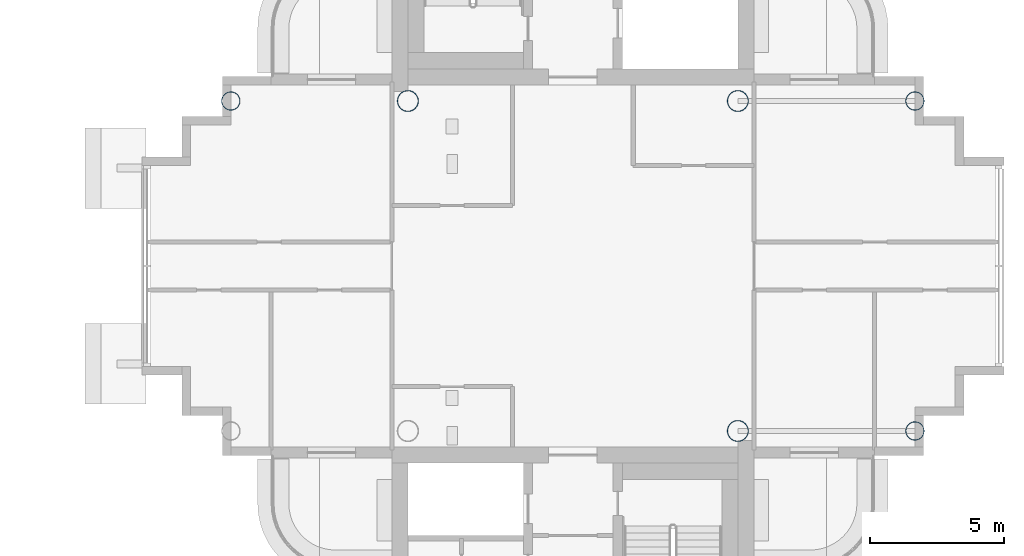
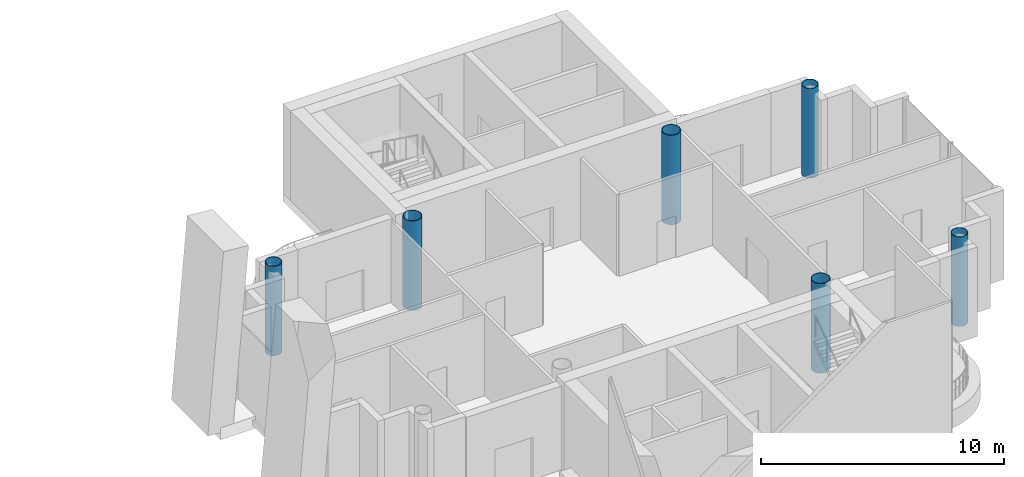
# One storey, part 2 of 19: 6 columns.
"""IFC4 building model written with IfcOpenShell, lengths in metres."""

import ifcopenshell
import ifcopenshell.guid

model = None  # the IFC model being written
_history = None  # IfcOwnerHistory: only IFC2X3 demands one
_inside = {}  # id of a spatial element -> (the spatial element, [elements in it])
_under = {}  # id of a project, library or spatial element -> (it, [spatial elements below it])
_declared = {}  # id of a project -> (the project, [libraries it declares])
_typed = {}  # id of a type object -> (the type object, [elements of that type])
_made_of = {}  # id of a material, layer set ... -> (it, [elements and type objects made of it])


def new_model(schema):
    """Start an empty IFC model of exactly this schema.

    Asked for "IFC4X3", IfcOpenShell would pick the latest addendum, in which some entities
    have other attributes; the version numbers below select the first issue.
    IFC2X3 requires an IfcOwnerHistory on every rooted entity: one is made here for all.
    """
    global model, _history
    if schema == "IFC4X3":
        model = ifcopenshell.file(schema_version=(4, 3, 0, 0))
    else:
        model = ifcopenshell.file(schema=schema)
    _inside.clear()
    _under.clear()
    _declared.clear()
    _typed.clear()
    _made_of.clear()
    _history = None
    if model.schema == "IFC2X3":
        org = make("IfcOrganization", Name="unknown")
        user = make(
            "IfcPersonAndOrganization",
            ThePerson=make("IfcPerson", FamilyName="unknown"),
            TheOrganization=org,
        )
        app = make(
            "IfcApplication",
            ApplicationDeveloper=org,
            Version="unknown",
            ApplicationFullName="unknown",
            ApplicationIdentifier="unknown",
        )
        _history = make(
            "IfcOwnerHistory",
            OwningUser=user,
            OwningApplication=app,
            ChangeAction="ADDED",
            CreationDate=0,
        )
    return model


def make(cls, **values):
    """One entity of the class cls with the attributes given. An attribute that is None is left unset."""
    return model.create_entity(
        cls, **{name: value for name, value in values.items() if value is not None}
    )


def rooted(cls, **values):
    """An entity with a GlobalId (a new one), such as an element, a storey or a relation."""
    return make(cls, GlobalId=ifcopenshell.guid.new(), OwnerHistory=_history, **values)


def si_unit(unit_type, name, prefix=None):
    """IfcSIUnit, for example si_unit("LENGTHUNIT", "METRE", prefix="MILLI")."""
    return make("IfcSIUnit", UnitType=unit_type, Prefix=prefix, Name=name)


def assignment(units):
    """IfcUnitAssignment: the units of a project."""
    return None if units is None else make("IfcUnitAssignment", Units=units)


def point(xyz):
    """IfcCartesianPoint."""
    return None if xyz is None else make("IfcCartesianPoint", Coordinates=xyz)


def direction(xyz):
    """IfcDirection."""
    return None if xyz is None else make("IfcDirection", DirectionRatios=xyz)


def frame(location, z_axis=None, x_axis=None):
    """IfcAxis2Placement3D, a coordinate frame: its origin and axes. An axis left out is left unset."""
    return make(
        "IfcAxis2Placement3D",
        Location=point(location),
        Axis=direction(z_axis),
        RefDirection=direction(x_axis),
    )


def frame_2d(location, x_axis=None):
    """IfcAxis2Placement2D, a coordinate frame in the plane: its origin and x axis."""
    return make(
        "IfcAxis2Placement2D", Location=point(location), RefDirection=direction(x_axis)
    )


def origin():
    """The frame at (0, 0, 0) with its axes left unset."""
    return frame((0.0, 0.0, 0.0))


def origin_2d():
    """The frame at (0, 0) in the plane with its x axis left unset."""
    return frame_2d((0.0, 0.0))


def place(relative_to, where):
    """IfcLocalPlacement: puts the frame where relative to a parent placement (None: the world)."""
    return make(
        "IfcLocalPlacement", PlacementRelTo=relative_to, RelativePlacement=where
    )


def context(
    kind, dimensions, precision=None, world=None, true_north=None, identifier=None
):
    """IfcGeometricRepresentationContext, for example the 3D "Model" context."""
    return make(
        "IfcGeometricRepresentationContext",
        ContextIdentifier=identifier,
        ContextType=kind,
        CoordinateSpaceDimension=dimensions,
        Precision=precision,
        WorldCoordinateSystem=world,
        TrueNorth=true_north,
    )


def subcontext(parent, identifier, kind, view, scale=None):
    """IfcGeometricRepresentationSubContext, for example "Body" below "Model"."""
    return make(
        "IfcGeometricRepresentationSubContext",
        ContextIdentifier=identifier,
        ContextType=kind,
        ParentContext=parent,
        TargetScale=scale,
        TargetView=view,
    )


def project(units=None, contexts=None):
    """IfcProject with its units and contexts."""
    return rooted(
        "IfcProject",
        Name="project",
        RepresentationContexts=contexts,
        UnitsInContext=assignment(units),
    )


def spatial(cls, under=None, at=None, **own):
    """A site, building, storey or space (cls), placed at a placement, below another one or the project."""
    s = rooted(cls, ObjectPlacement=at, **own)
    if under is not None:
        _under.setdefault(under.id(), (under, []))[1].append(s)
    return s


def profile(cls, at=None, kind="AREA", **sizes):
    """A parametric profile (cls). Its sizes go by their IFC names, for example OverallWidth=200.0."""
    return make(cls, ProfileType=kind, Position=at, **sizes)


def hollow_circle(**sizes):
    """IfcCircleHollowProfileDef."""
    return profile("IfcCircleHollowProfileDef", **sizes)


def extrude(swept, where, along, depth):
    """IfcExtrudedAreaSolid: the profile swept, set in the frame where, extruded along a direction by depth."""
    return make(
        "IfcExtrudedAreaSolid",
        SweptArea=swept,
        Position=where,
        ExtrudedDirection=direction(along),
        Depth=depth,
    )


def shape(context_of_items, identifier, shape_type, items):
    """IfcShapeRepresentation: the items that make up one representation, for example the "Body"."""
    return make(
        "IfcShapeRepresentation",
        ContextOfItems=context_of_items,
        RepresentationIdentifier=identifier,
        RepresentationType=shape_type,
        Items=items,
    )


def material(Name=None, Category=None):
    """IfcMaterial."""
    return make("IfcMaterial", Name=Name, Category=Category)


def material_profile(
    of_material, cross_section, Name=None, Category=None, Priority=None
):
    """IfcMaterialProfile: a cross section and its material."""
    return make(
        "IfcMaterialProfile",
        Name=Name,
        Material=of_material,
        Profile=cross_section,
        Priority=Priority,
        Category=Category,
    )


def profile_set(profiles, Name=None, composite=None):
    """IfcMaterialProfileSet."""
    return make(
        "IfcMaterialProfileSet",
        Name=Name,
        MaterialProfiles=profiles,
        CompositeProfile=composite,
    )


def made_of(thing, what):
    """Note that an element or type object is made of a material, layer set ...; save() writes the relation."""
    if what is not None:
        _made_of.setdefault(what.id(), (what, []))[1].append(thing)
    return thing


def type_object(cls, material=None, **own):
    """A type object (cls), such as IfcWallType, which elements share."""
    return made_of(rooted(cls, **own), material)


def element(
    cls,
    number,
    at=None,
    inside=None,
    cuts=None,
    type_object=None,
    material=None,
    context=None,
    identifier="Body",
    shape_type=None,
    held_by="IfcProductDefinitionShape",
    body=None,
    shapes=None,
    **own,
):
    """One element of the class cls, such as IfcWall. Its Tag is "e" and its number.

    at: its placement. inside: the storey or other place that contains it. cuts: it is an
    opening in that element (IfcRelVoidsElement). A single representation is given by context,
    identifier, shape_type and body (its items); several are given by shapes. held_by: the class
    of the entity that holds the representations. save() writes the other relations.
    """
    e = rooted(cls, Tag="e%d" % number, ObjectPlacement=at, **own)
    if body is not None:
        shapes = [shape(context, identifier, shape_type, body)]
    if shapes is not None:
        e.Representation = make(held_by, Representations=shapes)
    if inside is not None:
        _inside.setdefault(inside.id(), (inside, []))[1].append(e)
    if cuts is not None:
        rooted(
            "IfcRelVoidsElement", RelatingBuildingElement=cuts, RelatedOpeningElement=e
        )
    if type_object is not None:
        _typed.setdefault(type_object.id(), (type_object, []))[1].append(e)
    return made_of(e, material)


def aggregate(whole, parts):
    """IfcRelAggregates: a whole, such as a stair, and the parts it consists of."""
    return rooted("IfcRelAggregates", RelatingObject=whole, RelatedObjects=parts)


def save(model, path):
    """Write the relations noted so far, then the file.

    IfcRelAggregates (storeys below a building ...), IfcRelContainedInSpatialStructure (elements
    in a storey), IfcRelDefinesByType, IfcRelAssociatesMaterial and IfcRelDeclares: one each for
    every whole, place, type object, material and project.
    """
    for whole, parts in _under.values():
        aggregate(whole, parts)
    for where, things in _inside.values():
        rooted(
            "IfcRelContainedInSpatialStructure",
            RelatedElements=things,
            RelatingStructure=where,
        )
    for kind, things in _typed.values():
        rooted("IfcRelDefinesByType", RelatedObjects=things, RelatingType=kind)
    for what, things in _made_of.values():
        rooted("IfcRelAssociatesMaterial", RelatedObjects=things, RelatingMaterial=what)
    for by, libraries in _declared.values():
        rooted("IfcRelDeclares", RelatingContext=by, RelatedDefinitions=libraries)
    model.write(path)


model = new_model("IFC4")

# Units and contexts
model_context = context("Model", 3, precision=1e-05, world=origin(), true_north=direction((0.0, 1.0)))
body_context = subcontext(model_context, "Body", "Model", "MODEL_VIEW")
ifc_project = project(units=[si_unit("LENGTHUNIT", "METRE"), si_unit("AREAUNIT", "SQUARE_METRE"), si_unit("VOLUMEUNIT", "CUBIC_METRE"), si_unit("PLANEANGLEUNIT", "RADIAN"), si_unit("MASSUNIT", "GRAM", prefix="KILO")], contexts=[model_context])

# Site, building, storey
site_placement = place(None, origin())
site = spatial("IfcSite", under=ifc_project, at=site_placement, CompositionType="ELEMENT")
building_placement = place(site_placement, origin())
building = spatial("IfcBuilding", under=site, at=building_placement, Name="Ipe Terrace Towers", CompositionType="ELEMENT")
storey_placement = place(building_placement, frame((0.0, 0.0, 237.89990234375)))
storey = spatial("IfcBuildingStorey", under=building, at=storey_placement, Name="L66", CompositionType="ELEMENT", Elevation=237.89990234375)

# Columns
ifc_material_1 = material(Name="Steel S355 tube with Concrete C60/75 fill", Category="concrete")
ifc_material_profile_1 = material_profile(ifc_material_1, hollow_circle(Radius=0.35009765625, WallThickness=0.02490234375, at=origin_2d()), Name="CHS-700x25")
ifc_profile_set_1 = profile_set([ifc_material_profile_1], Name="Steel S355 tube with Concrete C60/75 fill")
column_type_1 = type_object("IfcColumnType", Name="CH08 COLUMN CHS-700x25", PredefinedType="COLUMN", material=ifc_profile_set_1)
for number, where, z_axis, x_axis, name in (
    (1, (23.25, 6.14990234375, 0.0), (0.0, 0.0, 1.0), (1.0, 0.0, 0.0), "Column T2-C-B01"),
    (2, (48.75, -6.14990234375, 0.0), (0.0, 0.0, 1.0), (1.0, 0.0, 0.0), "Column T2-C-D01"),
    (3, (48.75, 6.14990234375, 0.0), (0.0, 0.0, 1.0), (1.0, 0.0, 0.0), "Column T2-C-D02"),
):
    element("IfcColumn", number, at=place(storey_placement, frame(where, z_axis=z_axis, x_axis=x_axis)), inside=storey, type_object=column_type_1, Name=name, PredefinedType="COLUMN", context=body_context, shape_type="SweptSolid", body=[
        extrude(hollow_circle(Radius=0.35009765625, WallThickness=0.02490234375, at=origin_2d()), origin(), (0.0, 0.0, 1.0), 4.5),
    ])
ifc_material_2 = material(Name="Steel S355 tube with Concrete C60/75 fill", Category="concrete")
ifc_material_profile_2 = material_profile(ifc_material_2, hollow_circle(Radius=0.39990234375, WallThickness=0.028076171875, at=origin_2d()), Name="CHS-800x28")
ifc_profile_set_2 = profile_set([ifc_material_profile_2], Name="Steel S355 tube with Concrete C60/75 fill")
column_type_2 = type_object("IfcColumnType", Name="CH09 COLUMN CHS-800x28", PredefinedType="COLUMN", material=ifc_profile_set_2)
for number, where, z_axis, x_axis, name in (
    (4, (42.14990234375, -6.14990234375, 0.0), (0.0, 0.0, 1.0), (1.0, 0.0, 0.0), "Column T2-C-E01"),
    (5, (42.14990234375, 6.14990234375, 0.0), (0.0, 0.0, 1.0), (1.0, 0.0, 0.0), "Column T2-C-E02"),
    (6, (29.85009765625, 6.14990234375, 0.0), (0.0, 0.0, 1.0), (1.0, 0.0, 0.0), "Column T2-C-E03"),
):
    element("IfcColumn", number, at=place(storey_placement, frame(where, z_axis=z_axis, x_axis=x_axis)), inside=storey, type_object=column_type_2, Name=name, PredefinedType="COLUMN", context=body_context, shape_type="SweptSolid", body=[
        extrude(hollow_circle(Radius=0.39990234375, WallThickness=0.028076171875, at=origin_2d()), origin(), (0.0, 0.0, 1.0), 4.5),
    ])

save(model, "model.ifc")
